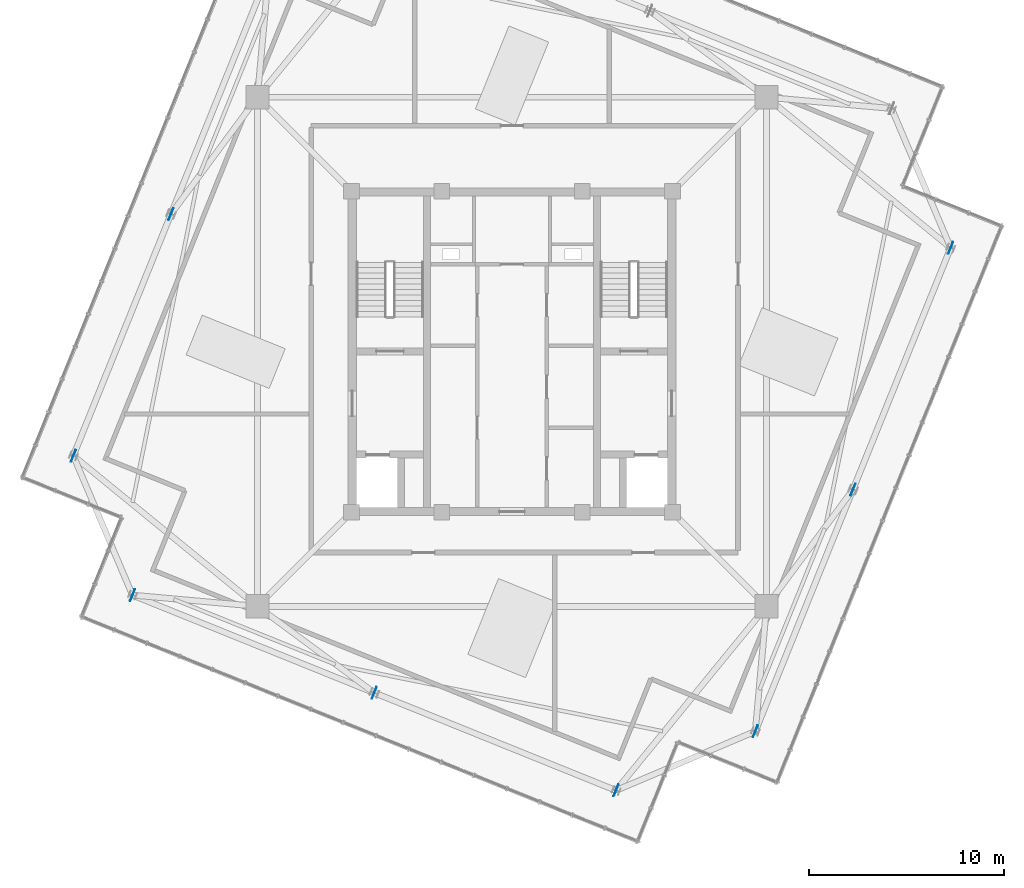
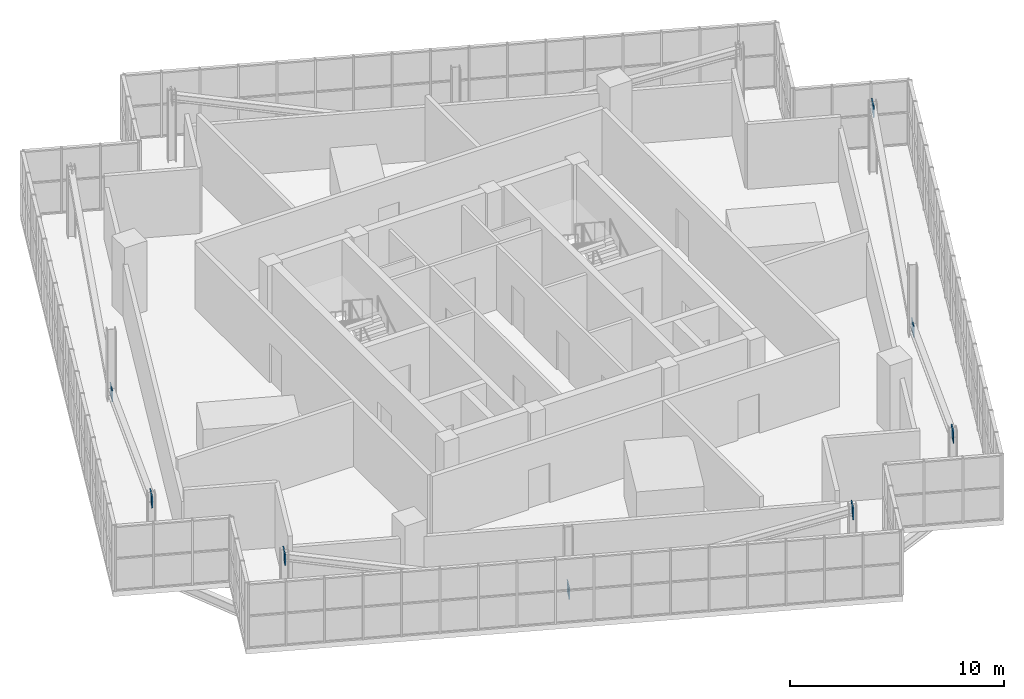
# One storey, part 21 of 26: 8 plates.
"""IFC4 building model written with IfcOpenShell, lengths in metres."""

from ifc_helpers import new_model, si_unit, direction, frame, origin, origin_2d, place, context, subcontext, project, spatial, rectangle, extrude, source, transform, mapped, material, layer, layer_set, type_object, element, save


model = new_model("IFC4")

# Units and contexts
model_context = context("Model", 3, precision=1e-05, world=origin(), true_north=direction((0.0, 1.0)))
body_context = subcontext(model_context, "Body", "Model", "MODEL_VIEW")
ifc_project = project(units=[si_unit("LENGTHUNIT", "METRE"), si_unit("AREAUNIT", "SQUARE_METRE"), si_unit("VOLUMEUNIT", "CUBIC_METRE"), si_unit("PLANEANGLEUNIT", "RADIAN"), si_unit("MASSUNIT", "GRAM", prefix="KILO"), si_unit("THERMODYNAMICTEMPERATUREUNIT", "KELVIN")], contexts=[model_context])

# Site, building, storey
site_placement = place(None, origin())
site = spatial("IfcSite", under=ifc_project, at=site_placement, CompositionType="ELEMENT")
building_placement = place(site_placement, origin())
building = spatial("IfcBuilding", under=site, at=building_placement, Name="Kosmvard Interchange Tower", CompositionType="ELEMENT")
storey_placement = place(building_placement, frame((0.0, 0.0, 333.60009765625)))
storey = spatial("IfcBuildingStorey", under=building, at=storey_placement, Name="L82", CompositionType="ELEMENT", Elevation=333.60009765625)

# Plates
ifc_material = material(Name="Steel S355", Category="steel")
ifc_layer = layer(ifc_material, 0.0380859375, Name="Steel S355")
ifc_layer_set = layer_set([ifc_layer], Name="Steel S355")
plate_type = type_object("IfcPlateType", Name="Lantern Base & Chord End Cap Stiffener 750x750x38 S355", PredefinedType="USERDEFINED", material=ifc_layer_set)
shared_shape = source(origin(), body_context, "Body", "SweptSolid", [
    extrude(rectangle(XDim=0.64990234375, YDim=0.0380859375, at=origin_2d()), origin(), (0.0, 0.0, 1.0), 0.64990234375),
])
for number, where, z_axis, x_axis, name in (
    (1, (12.504150390625, -19.50439453125, 3.324951171875), (0.0, 0.0, 1.0), (0.374606593416, 0.927183854567, 0.0), "L82 Crown Diagrid Node Gusset Plate LAS"),
    (2, (22.54345703125, 5.34423828125, 3.324951171875), (0.0, 0.0, 1.0), (0.374606593416, 0.927183854567, 0.0), "L82 Crown Diagrid Node Gusset Plate LBS"),
    (3, (17.523681640625, -7.080078125, 0.094970703125), (0.0, 0.0, 1.0), (0.374606593416, 0.927183854567, 0.0), "L82 Crown Diagrid Node Gusset Plate LMS"),
    (4, (-22.54345703125, -5.34423828125, 3.324951171875), (0.0, 0.0, 1.0), (0.374606593416, 0.927183854567, 0.0), "L82 Crown Diagrid Node Gusset Plate LBN"),
    (5, (-17.523681640625, 7.080078125, 0.094970703125), (0.0, 0.0, 1.0), (0.374606593416, 0.927183854567, 0.0), "L82 Crown Diagrid Node Gusset Plate LMN"),
    (6, (-19.50439453125, -12.504150390625, 3.324951171875), (0.0, 0.0, 1.0), (0.374606593416, 0.927183854567, 0.0), "L82 Crown Diagrid Node Gusset Plate LAW"),
    (7, (5.34423828125, -22.54345703125, 3.324951171875), (0.0, 0.0, 1.0), (0.374606593416, 0.927183854567, 0.0), "L82 Crown Diagrid Node Gusset Plate LBW"),
    (8, (-7.080078125, -17.523681640625, 0.094970703125), (0.0, 0.0, 1.0), (0.374606593416, 0.927183854567, 0.0), "L82 Crown Diagrid Node Gusset Plate LMW"),
):
    element("IfcPlate", number, at=place(storey_placement, frame(where, z_axis=z_axis, x_axis=x_axis)), inside=storey, type_object=plate_type, Name=name, ObjectType="STIFFENER_PLATE", PredefinedType="USERDEFINED", context=body_context, shape_type="MappedRepresentation", body=[
        mapped(shared_shape, transform((0.0, 0.0, 0.0), scale=1.0)),
    ])

save(model, "model.ifc")
